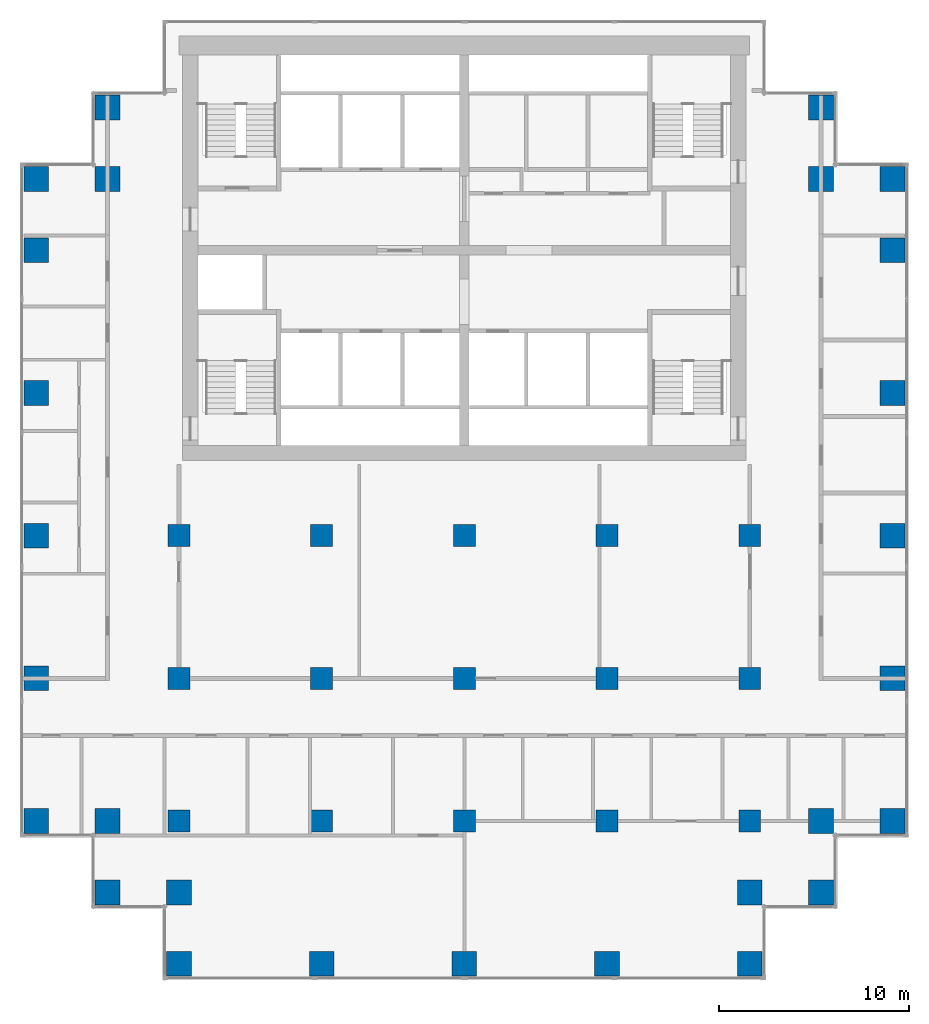
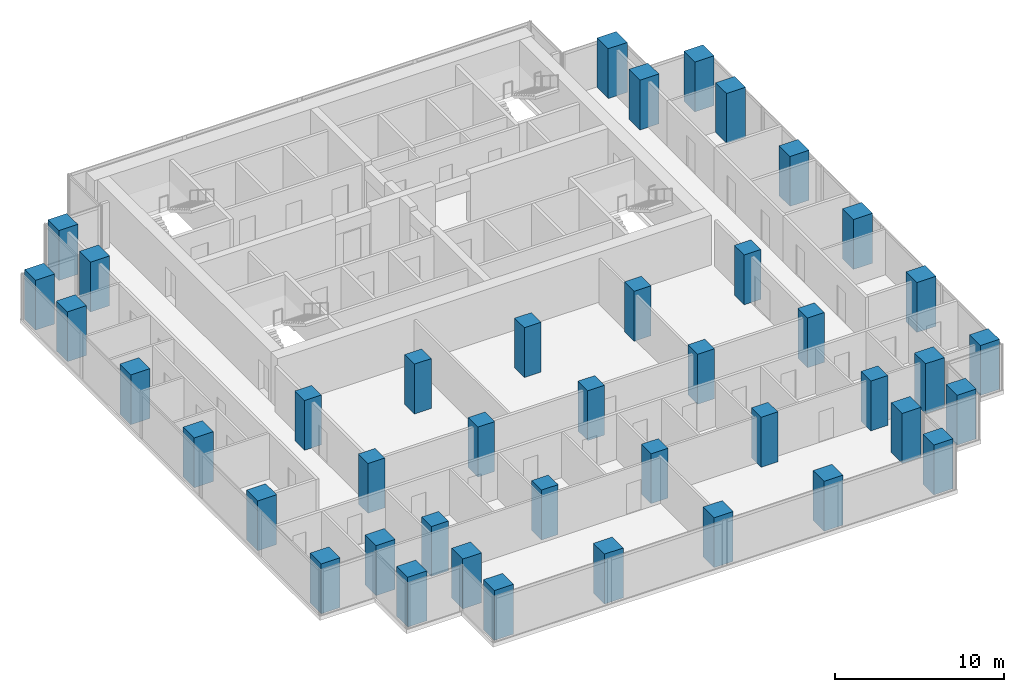
# One storey, part 1 of 10: 42 columns.
"""IFC4 building model written with IfcOpenShell, lengths in metres."""

import ifcopenshell
import ifcopenshell.guid

model = None  # the IFC model being written
_history = None  # IfcOwnerHistory: only IFC2X3 demands one
_inside = {}  # id of a spatial element -> (the spatial element, [elements in it])
_under = {}  # id of a project, library or spatial element -> (it, [spatial elements below it])
_declared = {}  # id of a project -> (the project, [libraries it declares])
_typed = {}  # id of a type object -> (the type object, [elements of that type])
_made_of = {}  # id of a material, layer set ... -> (it, [elements and type objects made of it])


def new_model(schema):
    """Start an empty IFC model of exactly this schema.

    Asked for "IFC4X3", IfcOpenShell would pick the latest addendum, in which some entities
    have other attributes; the version numbers below select the first issue.
    IFC2X3 requires an IfcOwnerHistory on every rooted entity: one is made here for all.
    """
    global model, _history
    if schema == "IFC4X3":
        model = ifcopenshell.file(schema_version=(4, 3, 0, 0))
    else:
        model = ifcopenshell.file(schema=schema)
    _inside.clear()
    _under.clear()
    _declared.clear()
    _typed.clear()
    _made_of.clear()
    _history = None
    if model.schema == "IFC2X3":
        org = make("IfcOrganization", Name="unknown")
        user = make(
            "IfcPersonAndOrganization",
            ThePerson=make("IfcPerson", FamilyName="unknown"),
            TheOrganization=org,
        )
        app = make(
            "IfcApplication",
            ApplicationDeveloper=org,
            Version="unknown",
            ApplicationFullName="unknown",
            ApplicationIdentifier="unknown",
        )
        _history = make(
            "IfcOwnerHistory",
            OwningUser=user,
            OwningApplication=app,
            ChangeAction="ADDED",
            CreationDate=0,
        )
    return model


def make(cls, **values):
    """One entity of the class cls with the attributes given. An attribute that is None is left unset."""
    return model.create_entity(
        cls, **{name: value for name, value in values.items() if value is not None}
    )


def rooted(cls, **values):
    """An entity with a GlobalId (a new one), such as an element, a storey or a relation."""
    return make(cls, GlobalId=ifcopenshell.guid.new(), OwnerHistory=_history, **values)


def si_unit(unit_type, name, prefix=None):
    """IfcSIUnit, for example si_unit("LENGTHUNIT", "METRE", prefix="MILLI")."""
    return make("IfcSIUnit", UnitType=unit_type, Prefix=prefix, Name=name)


def assignment(units):
    """IfcUnitAssignment: the units of a project."""
    return None if units is None else make("IfcUnitAssignment", Units=units)


def point(xyz):
    """IfcCartesianPoint."""
    return None if xyz is None else make("IfcCartesianPoint", Coordinates=xyz)


def direction(xyz):
    """IfcDirection."""
    return None if xyz is None else make("IfcDirection", DirectionRatios=xyz)


def frame(location, z_axis=None, x_axis=None):
    """IfcAxis2Placement3D, a coordinate frame: its origin and axes. An axis left out is left unset."""
    return make(
        "IfcAxis2Placement3D",
        Location=point(location),
        Axis=direction(z_axis),
        RefDirection=direction(x_axis),
    )


def frame_2d(location, x_axis=None):
    """IfcAxis2Placement2D, a coordinate frame in the plane: its origin and x axis."""
    return make(
        "IfcAxis2Placement2D", Location=point(location), RefDirection=direction(x_axis)
    )


def origin():
    """The frame at (0, 0, 0) with its axes left unset."""
    return frame((0.0, 0.0, 0.0))


def origin_2d():
    """The frame at (0, 0) in the plane with its x axis left unset."""
    return frame_2d((0.0, 0.0))


def place(relative_to, where):
    """IfcLocalPlacement: puts the frame where relative to a parent placement (None: the world)."""
    return make(
        "IfcLocalPlacement", PlacementRelTo=relative_to, RelativePlacement=where
    )


def context(
    kind, dimensions, precision=None, world=None, true_north=None, identifier=None
):
    """IfcGeometricRepresentationContext, for example the 3D "Model" context."""
    return make(
        "IfcGeometricRepresentationContext",
        ContextIdentifier=identifier,
        ContextType=kind,
        CoordinateSpaceDimension=dimensions,
        Precision=precision,
        WorldCoordinateSystem=world,
        TrueNorth=true_north,
    )


def subcontext(parent, identifier, kind, view, scale=None):
    """IfcGeometricRepresentationSubContext, for example "Body" below "Model"."""
    return make(
        "IfcGeometricRepresentationSubContext",
        ContextIdentifier=identifier,
        ContextType=kind,
        ParentContext=parent,
        TargetScale=scale,
        TargetView=view,
    )


def project(units=None, contexts=None):
    """IfcProject with its units and contexts."""
    return rooted(
        "IfcProject",
        Name="project",
        RepresentationContexts=contexts,
        UnitsInContext=assignment(units),
    )


def spatial(cls, under=None, at=None, **own):
    """A site, building, storey or space (cls), placed at a placement, below another one or the project."""
    s = rooted(cls, ObjectPlacement=at, **own)
    if under is not None:
        _under.setdefault(under.id(), (under, []))[1].append(s)
    return s


def profile(cls, at=None, kind="AREA", **sizes):
    """A parametric profile (cls). Its sizes go by their IFC names, for example OverallWidth=200.0."""
    return make(cls, ProfileType=kind, Position=at, **sizes)


def rectangle(**sizes):
    """IfcRectangleProfileDef."""
    return profile("IfcRectangleProfileDef", **sizes)


def extrude(swept, where, along, depth):
    """IfcExtrudedAreaSolid: the profile swept, set in the frame where, extruded along a direction by depth."""
    return make(
        "IfcExtrudedAreaSolid",
        SweptArea=swept,
        Position=where,
        ExtrudedDirection=direction(along),
        Depth=depth,
    )


def shape(context_of_items, identifier, shape_type, items):
    """IfcShapeRepresentation: the items that make up one representation, for example the "Body"."""
    return make(
        "IfcShapeRepresentation",
        ContextOfItems=context_of_items,
        RepresentationIdentifier=identifier,
        RepresentationType=shape_type,
        Items=items,
    )


def material(Name=None, Category=None):
    """IfcMaterial."""
    return make("IfcMaterial", Name=Name, Category=Category)


def material_profile(
    of_material, cross_section, Name=None, Category=None, Priority=None
):
    """IfcMaterialProfile: a cross section and its material."""
    return make(
        "IfcMaterialProfile",
        Name=Name,
        Material=of_material,
        Profile=cross_section,
        Priority=Priority,
        Category=Category,
    )


def profile_set(profiles, Name=None, composite=None):
    """IfcMaterialProfileSet."""
    return make(
        "IfcMaterialProfileSet",
        Name=Name,
        MaterialProfiles=profiles,
        CompositeProfile=composite,
    )


def made_of(thing, what):
    """Note that an element or type object is made of a material, layer set ...; save() writes the relation."""
    if what is not None:
        _made_of.setdefault(what.id(), (what, []))[1].append(thing)
    return thing


def type_object(cls, material=None, **own):
    """A type object (cls), such as IfcWallType, which elements share."""
    return made_of(rooted(cls, **own), material)


def element(
    cls,
    number,
    at=None,
    inside=None,
    cuts=None,
    type_object=None,
    material=None,
    context=None,
    identifier="Body",
    shape_type=None,
    held_by="IfcProductDefinitionShape",
    body=None,
    shapes=None,
    **own,
):
    """One element of the class cls, such as IfcWall. Its Tag is "e" and its number.

    at: its placement. inside: the storey or other place that contains it. cuts: it is an
    opening in that element (IfcRelVoidsElement). A single representation is given by context,
    identifier, shape_type and body (its items); several are given by shapes. held_by: the class
    of the entity that holds the representations. save() writes the other relations.
    """
    e = rooted(cls, Tag="e%d" % number, ObjectPlacement=at, **own)
    if body is not None:
        shapes = [shape(context, identifier, shape_type, body)]
    if shapes is not None:
        e.Representation = make(held_by, Representations=shapes)
    if inside is not None:
        _inside.setdefault(inside.id(), (inside, []))[1].append(e)
    if cuts is not None:
        rooted(
            "IfcRelVoidsElement", RelatingBuildingElement=cuts, RelatedOpeningElement=e
        )
    if type_object is not None:
        _typed.setdefault(type_object.id(), (type_object, []))[1].append(e)
    return made_of(e, material)


def aggregate(whole, parts):
    """IfcRelAggregates: a whole, such as a stair, and the parts it consists of."""
    return rooted("IfcRelAggregates", RelatingObject=whole, RelatedObjects=parts)


def save(model, path):
    """Write the relations noted so far, then the file.

    IfcRelAggregates (storeys below a building ...), IfcRelContainedInSpatialStructure (elements
    in a storey), IfcRelDefinesByType, IfcRelAssociatesMaterial and IfcRelDeclares: one each for
    every whole, place, type object, material and project.
    """
    for whole, parts in _under.values():
        aggregate(whole, parts)
    for where, things in _inside.values():
        rooted(
            "IfcRelContainedInSpatialStructure",
            RelatedElements=things,
            RelatingStructure=where,
        )
    for kind, things in _typed.values():
        rooted("IfcRelDefinesByType", RelatedObjects=things, RelatingType=kind)
    for what, things in _made_of.values():
        rooted("IfcRelAssociatesMaterial", RelatedObjects=things, RelatingMaterial=what)
    for by, libraries in _declared.values():
        rooted("IfcRelDeclares", RelatingContext=by, RelatedDefinitions=libraries)
    model.write(path)


model = new_model("IFC4")

# Units and contexts
model_context = context("Model", 3, precision=1e-05, world=origin(), true_north=direction((0.0, 1.0)))
body_context = subcontext(model_context, "Body", "Model", "MODEL_VIEW")
ifc_project = project(units=[si_unit("LENGTHUNIT", "METRE"), si_unit("AREAUNIT", "SQUARE_METRE"), si_unit("VOLUMEUNIT", "CUBIC_METRE"), si_unit("PLANEANGLEUNIT", "RADIAN"), si_unit("MASSUNIT", "GRAM", prefix="KILO")], contexts=[model_context])

# Site, building, storey
site_placement = place(None, origin())
site = spatial("IfcSite", under=ifc_project, at=site_placement, CompositionType="ELEMENT")
building_placement = place(site_placement, origin())
building = spatial("IfcBuilding", under=site, at=building_placement, Name="Pilkhan Gate Tower", CompositionType="ELEMENT")
storey_placement = place(building_placement, frame((0.0, 0.0, 139.60009765625)))
storey = spatial("IfcBuildingStorey", under=building, at=storey_placement, Name="L35", CompositionType="ELEMENT", Elevation=139.60009765625)

# Columns
ifc_material = material(Name="Concrete C60/75", Category="concrete")
ifc_material_profile_1 = material_profile(ifc_material, rectangle(XDim=1.14990234375, YDim=1.14990234375, at=origin_2d()), Name="RC 1150x1150")
ifc_profile_set_1 = profile_set([ifc_material_profile_1], Name="Concrete C60/75")
column_type_1 = type_object("IfcColumnType", Name="Column C115 RC 1150x1150 C60/75", PredefinedType="COLUMN", material=ifc_profile_set_1)
for number, where, z_axis, x_axis, name in (
    (1, (60.0, 52.5, 0.0), (0.0, 0.0, 1.0), (1.0, 0.0, 0.0), "Column 7/D L35"),
    (2, (60.0, 60.0, 0.0), (0.0, 0.0, 1.0), (1.0, 0.0, 0.0), "Column 7/F L35"),
    (3, (60.0, 67.5, 0.0), (0.0, 0.0, 1.0), (1.0, 0.0, 0.0), "Column 7/H L35"),
    (4, (67.5, 52.5, 0.0), (0.0, 0.0, 1.0), (1.0, 0.0, 0.0), "Column 9/D L35"),
    (5, (67.5, 60.0, 0.0), (0.0, 0.0, 1.0), (1.0, 0.0, 0.0), "Column 9/F L35"),
    (6, (67.5, 67.5, 0.0), (0.0, 0.0, 1.0), (1.0, 0.0, 0.0), "Column 9/H L35"),
    (7, (75.0, 52.5, 0.0), (0.0, 0.0, 1.0), (1.0, 0.0, 0.0), "Column 11/D L35"),
    (8, (75.0, 60.0, 0.0), (0.0, 0.0, 1.0), (1.0, 0.0, 0.0), "Column 11/F L35"),
    (9, (75.0, 67.5, 0.0), (0.0, 0.0, 1.0), (1.0, 0.0, 0.0), "Column 11/H L35"),
    (10, (82.5, 52.5, 0.0), (0.0, 0.0, 1.0), (1.0, 0.0, 0.0), "Column 13/D L35"),
    (11, (82.5, 60.0, 0.0), (0.0, 0.0, 1.0), (1.0, 0.0, 0.0), "Column 13/F L35"),
    (12, (82.5, 67.5, 0.0), (0.0, 0.0, 1.0), (1.0, 0.0, 0.0), "Column 13/H L35"),
    (13, (90.0, 52.5, 0.0), (0.0, 0.0, 1.0), (1.0, 0.0, 0.0), "Column 15/D L35"),
    (14, (90.0, 60.0, 0.0), (0.0, 0.0, 1.0), (1.0, 0.0, 0.0), "Column 15/F L35"),
    (15, (90.0, 67.5, 0.0), (0.0, 0.0, 1.0), (1.0, 0.0, 0.0), "Column 15/H L35"),
):
    element("IfcColumn", number, at=place(storey_placement, frame(where, z_axis=z_axis, x_axis=x_axis)), inside=storey, type_object=column_type_1, Name=name, PredefinedType="COLUMN", context=body_context, shape_type="SweptSolid", body=[
        extrude(rectangle(XDim=1.14990234375, YDim=1.14990234375, at=origin_2d()), origin(), (0.0, 0.0, 1.0), 3.599853515625),
    ])
ifc_material_profile_2 = material_profile(ifc_material, rectangle(XDim=1.300048828125, YDim=1.300048828125, at=origin_2d()), Name="RC 1300x1300")
ifc_profile_set_2 = profile_set([ifc_material_profile_2], Name="Concrete C60/75")
column_type_2 = type_object("IfcColumnType", Name="Column C130 RC 1300x1300 C60/75", PredefinedType="COLUMN", material=ifc_profile_set_2)
for number, where, z_axis, x_axis, name in (
    (16, (52.5, 52.5, 0.0), (0.0, 0.0, 1.0), (1.0, 0.0, 0.0), "Column 5/D L35"),
    (17, (52.5, 60.0, 0.0), (0.0, 0.0, 1.0), (1.0, 0.0, 0.0), "Column 5/F L35"),
    (18, (52.5, 67.5, 0.0), (0.0, 0.0, 1.0), (1.0, 0.0, 0.0), "Column 5/H L35"),
    (19, (52.5, 75.0, 0.0), (0.0, 0.0, 1.0), (1.0, 0.0, 0.0), "Column 5/K L35"),
    (20, (52.5, 82.5, 0.0), (0.0, 0.0, 1.0), (1.0, 0.0, 0.0), "Column 5/M L35"),
    (21, (52.5, 86.25, 0.0), (0.0, 0.0, 1.0), (1.0, 0.0, 0.0), "Column 5/N L35"),
    (22, (56.25, 48.75, 0.0), (0.0, 0.0, 1.0), (1.0, 0.0, 0.0), "Column 6/C L35"),
    (23, (56.25, 52.5, 0.0), (0.0, 0.0, 1.0), (1.0, 0.0, 0.0), "Column 6/D L35"),
    (24, (56.25, 86.25, 0.0), (0.0, 0.0, 1.0), (1.0, 0.0, 0.0), "Column 6/N L35"),
    (25, (56.25, 90.0, 0.0), (0.0, 0.0, 1.0), (1.0, 0.0, 0.0), "Column 6/P L35"),
    (26, (60.0, 45.0, 0.0), (0.0, 0.0, 1.0), (1.0, 0.0, 0.0), "Column 7/B L35"),
    (27, (60.0, 48.75, 0.0), (0.0, 0.0, 1.0), (1.0, 0.0, 0.0), "Column 7/C L35"),
    (28, (67.5, 45.0, 0.0), (0.0, 0.0, 1.0), (1.0, 0.0, 0.0), "Column 9/B L35"),
    (29, (75.0, 45.0, 0.0), (0.0, 0.0, 1.0), (1.0, 0.0, 0.0), "Column 11/B L35"),
    (30, (82.5, 45.0, 0.0), (0.0, 0.0, 1.0), (1.0, 0.0, 0.0), "Column 13/B L35"),
    (31, (90.0, 45.0, 0.0), (0.0, 0.0, 1.0), (1.0, 0.0, 0.0), "Column 15/B L35"),
    (32, (90.0, 48.75, 0.0), (0.0, 0.0, 1.0), (1.0, 0.0, 0.0), "Column 15/C L35"),
    (33, (93.75, 48.75, 0.0), (0.0, 0.0, 1.0), (1.0, 0.0, 0.0), "Column 16/C L35"),
    (34, (93.75, 52.5, 0.0), (0.0, 0.0, 1.0), (1.0, 0.0, 0.0), "Column 16/D L35"),
    (35, (93.75, 86.25, 0.0), (0.0, 0.0, 1.0), (1.0, 0.0, 0.0), "Column 16/N L35"),
    (36, (93.75, 90.0, 0.0), (0.0, 0.0, 1.0), (1.0, 0.0, 0.0), "Column 16/P L35"),
    (37, (97.5, 52.5, 0.0), (0.0, 0.0, 1.0), (1.0, 0.0, 0.0), "Column 17/D L35"),
    (38, (97.5, 60.0, 0.0), (0.0, 0.0, 1.0), (1.0, 0.0, 0.0), "Column 17/F L35"),
    (39, (97.5, 67.5, 0.0), (0.0, 0.0, 1.0), (1.0, 0.0, 0.0), "Column 17/H L35"),
    (40, (97.5, 75.0, 0.0), (0.0, 0.0, 1.0), (1.0, 0.0, 0.0), "Column 17/K L35"),
    (41, (97.5, 82.5, 0.0), (0.0, 0.0, 1.0), (1.0, 0.0, 0.0), "Column 17/M L35"),
    (42, (97.5, 86.25, 0.0), (0.0, 0.0, 1.0), (1.0, 0.0, 0.0), "Column 17/N L35"),
):
    element("IfcColumn", number, at=place(storey_placement, frame(where, z_axis=z_axis, x_axis=x_axis)), inside=storey, type_object=column_type_2, Name=name, PredefinedType="COLUMN", context=body_context, shape_type="SweptSolid", body=[
        extrude(rectangle(XDim=1.300048828125, YDim=1.300048828125, at=origin_2d()), origin(), (0.0, 0.0, 1.0), 3.599853515625),
    ])

save(model, "model.ifc")
